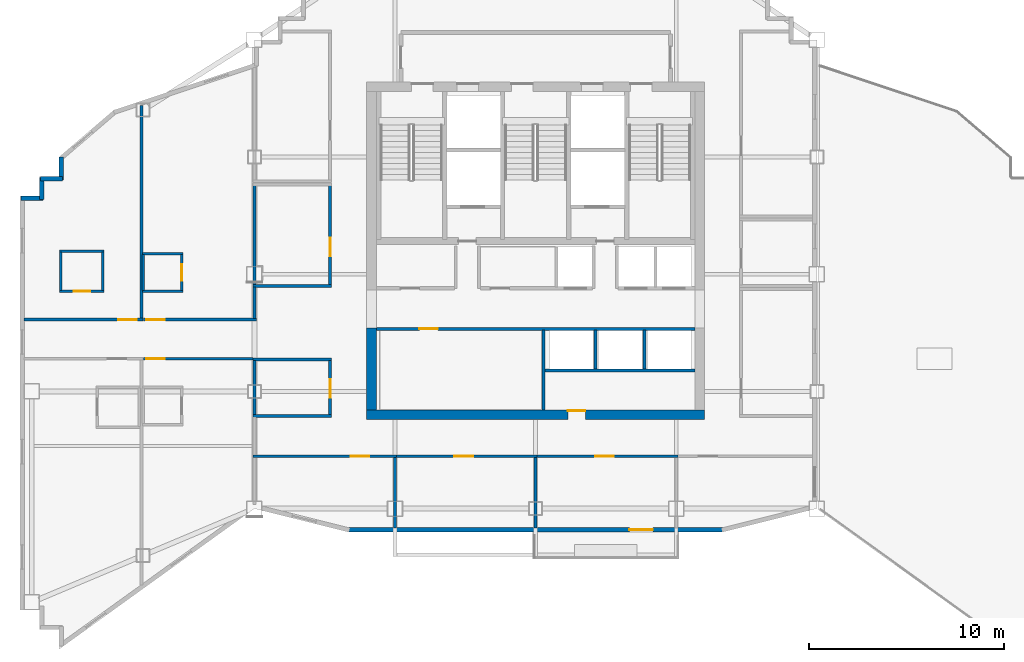
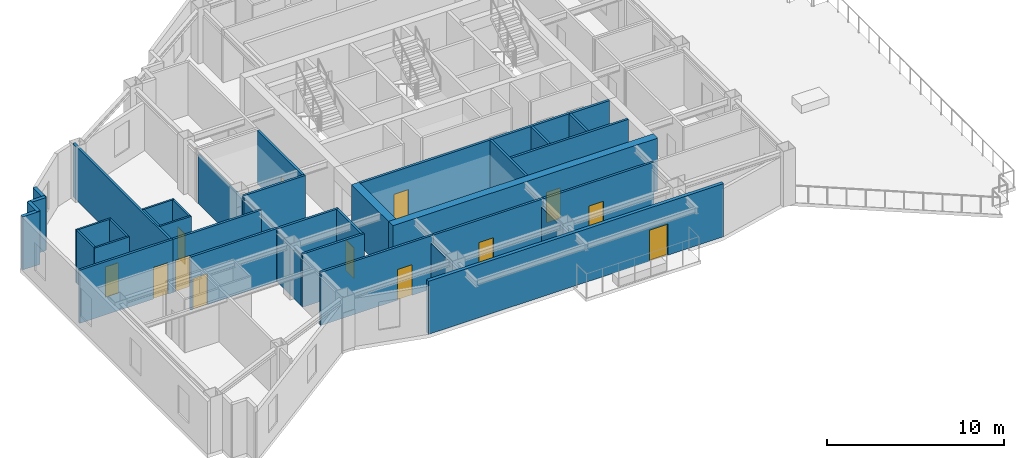
# One storey, part 5 of 10: 37 walls, 13 doors, 13 openings.
"""IFC4 building model written with IfcOpenShell, lengths in metres."""

from ifc_helpers import new_model, si_unit, direction, frame, frame_2d, origin, place, context, subcontext, project, spatial, rectangle, extrude, material, layer, layer_set, type_object, element, fill, save


model = new_model("IFC4")

# Units and contexts
model_context = context("Model", 3, precision=1e-05, world=origin(), true_north=direction((0.0, 1.0)))
body_context = subcontext(model_context, "Body", "Model", "MODEL_VIEW")
ifc_project = project(units=[si_unit("LENGTHUNIT", "METRE"), si_unit("AREAUNIT", "SQUARE_METRE"), si_unit("VOLUMEUNIT", "CUBIC_METRE"), si_unit("PLANEANGLEUNIT", "RADIAN"), si_unit("MASSUNIT", "GRAM", prefix="KILO")], contexts=[model_context])

# Site, building, storey
site_placement = place(None, origin())
site = spatial("IfcSite", under=ifc_project, at=site_placement, CompositionType="ELEMENT")
building_placement = place(site_placement, origin())
building = spatial("IfcBuilding", under=site, at=building_placement, Name="Haolan Belvedere Tower", CompositionType="ELEMENT")
storey_placement = place(building_placement, frame((0.0, 0.0, 235.199951171875)))
storey = spatial("IfcBuildingStorey", under=building, at=storey_placement, Name="L59", CompositionType="ELEMENT", Elevation=235.199951171875)

# Wall, opening, door
ifc_material_1 = material(Name="Concrete C50/60", Category="concrete")
ifc_layer_1 = layer(ifc_material_1, 0.5, Name="Concrete C50/60")
ifc_layer_set_1 = layer_set([ifc_layer_1], Name="Concrete C50/60")
wall_type_1 = type_object("IfcWallType", Name="WL-CORE-500", PredefinedType="SHEAR", material=ifc_layer_set_1)
wall_1_placement = place(storey_placement, frame((29.75, 26.39990234375, 0.0), z_axis=(0.0, 0.0, 1.0), x_axis=(1.0, 0.0, 0.0)))
wall_1 = element("IfcWall", 1, at=wall_1_placement, inside=storey, type_object=wall_type_1, Name="L59 central core south shear wall", PredefinedType="SHEAR", context=body_context, shape_type="SweptSolid", body=[
    extrude(rectangle(XDim=17.300048828125, YDim=0.5, at=frame_2d((8.64990234375, 0.0))), origin(), (0.0, 0.0, 1.0), 3.670166015625),
])
opening_1_placement = place(wall_1_placement, frame((11.199951171875, 0.0, 0.0), z_axis=(0.0, 0.0, 1.0), x_axis=(-1.0, 0.0, 0.0)))
opening_1 = element("IfcOpeningElement", 2, at=opening_1_placement, cuts=wall_1, Name="Opening FD-05", PredefinedType="OPENING", context=body_context, shape_type="SweptSolid", body=[
    extrude(rectangle(XDim=0.89990234375, YDim=2.10009765625, at=frame_2d((0.449951171875, 1.050048828125))), frame((0.0, 0.260009765625, 0.0), z_axis=(0.0, -1.0, 0.0), x_axis=(1.0, 0.0, 0.0)), (0.0, 0.0, 1.0), 0.52001953125),
])
ifc_material_2 = material(Name="Galvanised fire-rated steel", Category="steel")
door_type_1 = type_object("IfcDoorType", Name="DR-FD60-900", OperationType="NOTDEFINED", PredefinedType="DOOR", material=ifc_material_2)
door_1_placement = place(opening_1_placement, origin())
door_1 = element("IfcDoor", 3, at=door_1_placement, inside=storey, type_object=door_type_1, Name="L59 door CD-L59-SCVE", OperationType="SINGLE_SWING_RIGHT", OverallHeight=2.10009765625, OverallWidth=0.89990234375, PredefinedType="DOOR", context=body_context, shape_type="SweptSolid", body=[
    extrude(rectangle(XDim=0.89990234375, YDim=2.10009765625, at=frame_2d((0.449951171875, 1.050048828125))), frame((0.0, -0.19482421875, 0.0), z_axis=(0.0, -1.0, 0.0), x_axis=(1.0, 0.0, 0.0)), (0.0, 0.0, 1.0), 0.050048828125),
])
fill(opening_1, door_1)

# Wall
wall_2_placement = place(storey_placement, frame((30.0, 26.64990234375, 0.0), z_axis=(0.0, 0.0, 1.0), x_axis=(0.0, 1.0, 0.0)))
element("IfcWall", 4, at=wall_2_placement, inside=storey, type_object=wall_type_1, Name="L59 central core shear wall WS", PredefinedType="SHEAR", context=body_context, shape_type="SweptSolid", body=[
    extrude(rectangle(XDim=4.2001953125, YDim=0.5, at=frame_2d((2.10009765625, 0.0))), origin(), (0.0, 0.0, 1.0), 3.670166015625),
])

# Wall, opening, door
ifc_material_3 = material(Name="Precast concrete C40/50", Category="concrete")
ifc_layer_2 = layer(ifc_material_3, 0.219970703125, Name="Precast concrete C40/50")
ifc_layer_set_2 = layer_set([ifc_layer_2], Name="Precast concrete C40/50")
wall_type_2 = type_object("IfcWallType", Name="WL-EXT-220", PredefinedType="SOLIDWALL", material=ifc_layer_set_2)
wall_3_placement = place(storey_placement, frame((28.758544921875, 20.510009765625, 0.0), z_axis=(0.0, 0.0, 1.0), x_axis=(1.0, 0.0, 0.0)))
wall_3 = element("IfcWall", 5, at=wall_3_placement, inside=storey, type_object=wall_type_2, Name="L59 pale-metal exterior spandrel wall 1.1", PredefinedType="SOLIDWALL", context=body_context, shape_type="SweptSolid", body=[
    extrude(rectangle(XDim=19.282958984375, YDim=0.219970703125, at=frame_2d((9.6416015625, 0.0))), origin(), (0.0, 0.0, 1.0), 3.670166015625),
])
opening_2_placement = place(wall_3_placement, frame((15.641357421875, 0.0, 0.0), z_axis=(0.0, 0.0, 1.0), x_axis=(-1.0, 0.0, 0.0)))
opening_2 = element("IfcOpeningElement", 6, at=opening_2_placement, cuts=wall_3, Name="Opening BD-01", PredefinedType="OPENING", context=body_context, shape_type="SweptSolid", body=[
    extrude(rectangle(XDim=1.199951171875, YDim=2.14990234375, at=frame_2d((0.60009765625, 1.074951171875))), frame((0.0, 0.119873046875, 0.0), z_axis=(0.0, -1.0, 0.0), x_axis=(1.0, 0.0, 0.0)), (0.0, 0.0, 1.0), 0.239990234375),
])
ifc_material_4 = material(Name="Thermally broken pale-metal aluminium and Low-E glass", Category="aluminium")
door_type_2 = type_object("IfcDoorType", Name="DR-BAL-1200", OperationType="NOTDEFINED", PredefinedType="DOOR", material=ifc_material_4)
door_2_placement = place(opening_2_placement, origin())
door_2 = element("IfcDoor", 7, at=door_2_placement, inside=storey, type_object=door_type_2, Name="L59 tree-balcony access door 1", OperationType="SINGLE_SWING_LEFT", OverallHeight=2.14990234375, OverallWidth=1.199951171875, PredefinedType="DOOR", context=body_context, shape_type="SweptSolid", body=[
    extrude(rectangle(XDim=1.199951171875, YDim=2.14990234375, at=frame_2d((0.60009765625, 1.074951171875))), frame((0.0, 0.02490234375, 0.0), z_axis=(0.0, -1.0, 0.0), x_axis=(1.0, 0.0, 0.0)), (0.0, 0.0, 1.0), 0.050048828125),
])
fill(opening_2, door_2)

# Walls
wall_4_placement = place(storey_placement, frame((14.110107421875, 39.6044921875, 0.0), z_axis=(0.0, 0.0, 1.0), x_axis=(0.0, -1.0, 0.0)))
element("IfcWall", 8, at=wall_4_placement, inside=storey, type_object=wall_type_2, Name="L59 pale-metal exterior spandrel wall 19.1", PredefinedType="SOLIDWALL", context=body_context, shape_type="SweptSolid", body=[
    extrude(rectangle(XDim=1.16943359375, YDim=0.219970703125, at=frame_2d((0.584716796875, 0.0))), origin(), (0.0, 0.0, 1.0), 3.670166015625),
])
wall_5_placement = place(storey_placement, frame((14.1650390625, 38.489990234375, 0.0), z_axis=(0.0, 0.0, 1.0), x_axis=(-1.0, 0.0, 0.0)))
element("IfcWall", 9, at=wall_5_placement, inside=storey, type_object=wall_type_2, Name="L59 pale-metal exterior spandrel wall 20.1", PredefinedType="SOLIDWALL", context=body_context, shape_type="SweptSolid", body=[
    extrude(rectangle(XDim=1.110107421875, YDim=0.219970703125, at=frame_2d((0.55517578125, 0.0))), origin(), (0.0, 0.0, 1.0), 3.670166015625),
])
wall_6_placement = place(storey_placement, frame((13.110107421875, 38.544921875, 0.0), z_axis=(0.0, 0.0, 1.0), x_axis=(0.0, -1.0, 0.0)))
element("IfcWall", 10, at=wall_6_placement, inside=storey, type_object=wall_type_2, Name="L59 pale-metal exterior spandrel wall 21.1", PredefinedType="SOLIDWALL", context=body_context, shape_type="SweptSolid", body=[
    extrude(rectangle(XDim=1.10986328125, YDim=0.219970703125, at=frame_2d((0.554931640625, 0.0))), origin(), (0.0, 0.0, 1.0), 3.670166015625),
])
wall_7_placement = place(storey_placement, frame((13.1650390625, 37.489990234375, 0.0), z_axis=(0.0, 0.0, 1.0), x_axis=(-1.0, 0.0, 0.0)))
element("IfcWall", 11, at=wall_7_placement, inside=storey, type_object=wall_type_2, Name="L59 pale-metal exterior spandrel wall 22.1", PredefinedType="SOLIDWALL", context=body_context, shape_type="SweptSolid", body=[
    extrude(rectangle(XDim=1.110107421875, YDim=0.219970703125, at=frame_2d((0.55517578125, 0.0))), origin(), (0.0, 0.0, 1.0), 3.670166015625),
])
ifc_material_5 = material(Name="Double gypsum acoustic stud partition", Category="masonry")
ifc_layer_3 = layer(ifc_material_5, 0.14990234375, Name="Double gypsum acoustic stud partition")
ifc_layer_set_3 = layer_set([ifc_layer_3], Name="Double gypsum acoustic stud partition")
wall_type_3 = type_object("IfcWallType", Name="WL-PART-150", PredefinedType="PARTITIONING", material=ifc_layer_set_3)
wall_8_placement = place(storey_placement, frame((38.860107421875, 28.659912109375, 0.0), z_axis=(0.0, 0.0, 1.0), x_axis=(1.0, 0.0, 0.0)))
element("IfcWall", 12, at=wall_8_placement, inside=storey, type_object=wall_type_3, Name="L59 interior partition IW-L59-SSTRIP-E", PredefinedType="PARTITIONING", context=body_context, shape_type="SweptSolid", body=[
    extrude(rectangle(XDim=7.68994140625, YDim=0.14990234375, at=frame_2d((3.844970703125, 0.0))), origin(), (0.0, 0.0, 1.0), 3.670166015625),
])
wall_9_placement = place(storey_placement, frame((23.919921875, 33.0, 0.0), z_axis=(0.0, 0.0, 1.0), x_axis=(1.0, 0.0, 0.0)))
element("IfcWall", 13, at=wall_9_placement, inside=storey, type_object=wall_type_3, Name="L59 interior partition IW-L59-HSK-S", PredefinedType="PARTITIONING", context=body_context, shape_type="SweptSolid", body=[
    extrude(rectangle(XDim=4.0400390625, YDim=0.14990234375, at=frame_2d((2.02001953125, 0.0))), origin(), (0.0, 0.0, 1.0), 3.670166015625),
])
wall_10_placement = place(storey_placement, frame((24.0, 33.06005859375, 0.0), z_axis=(0.0, 0.0, 1.0), x_axis=(0.0, 1.0, 0.0)))
element("IfcWall", 14, at=wall_10_placement, inside=storey, type_object=wall_type_3, Name="L59 interior partition IW-L59-HSK-W", PredefinedType="PARTITIONING", context=body_context, shape_type="SweptSolid", body=[
    extrude(rectangle(XDim=5.079833984375, YDim=0.14990234375, at=frame_2d((2.5400390625, 0.0))), origin(), (0.0, 0.0, 1.0), 3.31494140625),
])

# Wall, opening, door
wall_11_placement = place(storey_placement, frame((27.8798828125, 33.06005859375, 0.0), z_axis=(0.0, 0.0, 1.0), x_axis=(0.0, 1.0, 0.0)))
wall_11 = element("IfcWall", 15, at=wall_11_placement, inside=storey, type_object=wall_type_3, Name="L59 interior partition IW-L59-HSK-E", PredefinedType="PARTITIONING", context=body_context, shape_type="SweptSolid", body=[
    extrude(rectangle(XDim=5.079833984375, YDim=0.14990234375, at=frame_2d((2.5400390625, 0.0))), origin(), (0.0, 0.0, 1.0), 3.670166015625),
])
opening_3_placement = place(wall_11_placement, frame((2.409912109375, 0.0, 0.0), z_axis=(0.0, 0.0, 1.0), x_axis=(-1.0, 0.0, 0.0)))
opening_3 = element("IfcOpeningElement", 16, at=opening_3_placement, cuts=wall_11, Name="Opening ID-03", PredefinedType="OPENING", context=body_context, shape_type="SweptSolid", body=[
    extrude(rectangle(XDim=0.949951171875, YDim=2.1201171875, at=frame_2d((0.47509765625, 1.06005859375))), frame((0.0, 0.0849609375, 0.0), z_axis=(0.0, -1.0, 0.0), x_axis=(1.0, 0.0, 0.0)), (0.0, 0.0, 1.0), 0.169921875),
])
ifc_material_6 = material(Name="Painted solid-core timber", Category="wood")
door_type_3 = type_object("IfcDoorType", Name="DR-INT-950", OperationType="NOTDEFINED", PredefinedType="DOOR", material=ifc_material_6)
door_3_placement = place(opening_3_placement, origin())
door_3 = element("IfcDoor", 17, at=door_3_placement, inside=storey, type_object=door_type_3, Name="L59 door ID-L59-HSK", OperationType="SINGLE_SWING_LEFT", OverallHeight=2.1201171875, OverallWidth=0.949951171875, PredefinedType="DOOR", context=body_context, shape_type="SweptSolid", body=[
    extrude(rectangle(XDim=0.949951171875, YDim=2.1201171875, at=frame_2d((0.47509765625, 1.06005859375))), frame((0.0, 0.02490234375, 0.0), z_axis=(0.0, -1.0, 0.0), x_axis=(1.0, 0.0, 0.0)), (0.0, 0.0, 1.0), 0.050048828125),
])
fill(opening_3, door_3)

# Walls
for number, where, z_axis, x_axis, name in (
    (18, (23.919921875, 29.22998046875, 0.0), (0.0, 0.0, 1.0), (1.0, 0.0, 0.0), "L59 interior partition IW-L59-PKTW-N"),
    (19, (23.919921875, 26.35009765625, 0.0), (0.0, 0.0, 1.0), (1.0, 0.0, 0.0), "L59 interior partition IW-L59-PKTW-S"),
):
    element("IfcWall", number, at=place(storey_placement, frame(where, z_axis=z_axis, x_axis=x_axis)), inside=storey, type_object=wall_type_3, Name=name, PredefinedType="PARTITIONING", context=body_context, shape_type="SweptSolid", body=[
        extrude(rectangle(XDim=4.0400390625, YDim=0.14990234375, at=frame_2d((2.02001953125, 0.0))), origin(), (0.0, 0.0, 1.0), 3.670166015625),
    ])
wall_12_placement = place(storey_placement, frame((24.0, 26.409912109375, 0.0), z_axis=(0.0, 0.0, 1.0), x_axis=(0.0, 1.0, 0.0)))
element("IfcWall", 20, at=wall_12_placement, inside=storey, type_object=wall_type_3, Name="L59 interior partition IW-L59-PKTW-W", PredefinedType="PARTITIONING", context=body_context, shape_type="SweptSolid", body=[
    extrude(rectangle(XDim=2.760009765625, YDim=0.14990234375, at=frame_2d((1.3798828125, 0.0))), origin(), (0.0, 0.0, 1.0), 3.31494140625),
])

# Wall, opening, door
wall_13_placement = place(storey_placement, frame((27.8798828125, 26.409912109375, 0.0), z_axis=(0.0, 0.0, 1.0), x_axis=(0.0, 1.0, 0.0)))
wall_13 = element("IfcWall", 21, at=wall_13_placement, inside=storey, type_object=wall_type_3, Name="L59 interior partition IW-L59-PKTW-E", PredefinedType="PARTITIONING", context=body_context, shape_type="SweptSolid", body=[
    extrude(rectangle(XDim=2.760009765625, YDim=0.14990234375, at=frame_2d((1.3798828125, 0.0))), origin(), (0.0, 0.0, 1.0), 3.670166015625),
])
opening_4_placement = place(wall_13_placement, frame((1.81005859375, 0.0, 0.0), z_axis=(0.0, 0.0, 1.0), x_axis=(-1.0, 0.0, 0.0)))
opening_4 = element("IfcOpeningElement", 22, at=opening_4_placement, cuts=wall_13, Name="Opening ID-03", PredefinedType="OPENING", context=body_context, shape_type="SweptSolid", body=[
    extrude(rectangle(XDim=0.949951171875, YDim=2.1201171875, at=frame_2d((0.47509765625, 1.06005859375))), frame((0.0, 0.0849609375, 0.0), z_axis=(0.0, -1.0, 0.0), x_axis=(1.0, 0.0, 0.0)), (0.0, 0.0, 1.0), 0.169921875),
])
door_4_placement = place(opening_4_placement, origin())
door_4 = element("IfcDoor", 23, at=door_4_placement, inside=storey, type_object=door_type_3, Name="L59 door ID-L59-PKTW", OperationType="SINGLE_SWING_LEFT", OverallHeight=2.1201171875, OverallWidth=0.949951171875, PredefinedType="DOOR", context=body_context, shape_type="SweptSolid", body=[
    extrude(rectangle(XDim=0.949951171875, YDim=2.1201171875, at=frame_2d((0.47509765625, 1.06005859375))), frame((0.0, 0.02490234375, 0.0), z_axis=(0.0, -1.0, 0.0), x_axis=(1.0, 0.0, 0.0)), (0.0, 0.0, 1.0), 0.050048828125),
])
fill(opening_4, door_4)

wall_14_placement = place(storey_placement, frame((23.919921875, 24.280029296875, 0.0), z_axis=(0.0, 0.0, 1.0), x_axis=(1.0, 0.0, 0.0)))
wall_14 = element("IfcWall", 24, at=wall_14_placement, inside=storey, type_object=wall_type_3, Name="L59 interior partition IW-L59-KS1-N", PredefinedType="PARTITIONING", context=body_context, shape_type="SweptSolid", body=[
    extrude(rectangle(XDim=7.360107421875, YDim=0.14990234375, at=frame_2d((3.68017578125, 0.0))), origin(), (0.0, 0.0, 1.0), 3.670166015625),
])
opening_5_placement = place(wall_14_placement, frame((5.969970703125, 0.0, 0.0), z_axis=(0.0, 0.0, 1.0), x_axis=(-1.0, 0.0, 0.0)))
opening_5 = element("IfcOpeningElement", 25, at=opening_5_placement, cuts=wall_14, Name="Opening ID-03", PredefinedType="OPENING", context=body_context, shape_type="SweptSolid", body=[
    extrude(rectangle(XDim=0.949951171875, YDim=2.1201171875, at=frame_2d((0.47509765625, 1.06005859375))), frame((0.0, 0.0849609375, 0.0), z_axis=(0.0, -1.0, 0.0), x_axis=(1.0, 0.0, 0.0)), (0.0, 0.0, 1.0), 0.169921875),
])
door_5_placement = place(opening_5_placement, origin())
door_5 = element("IfcDoor", 26, at=door_5_placement, inside=storey, type_object=door_type_3, Name="L59 door ID-L59-KS1", OperationType="SINGLE_SWING_LEFT", OverallHeight=2.1201171875, OverallWidth=0.949951171875, PredefinedType="DOOR", context=body_context, shape_type="SweptSolid", body=[
    extrude(rectangle(XDim=0.949951171875, YDim=2.1201171875, at=frame_2d((0.47509765625, 1.06005859375))), frame((0.0, 0.02490234375, 0.0), z_axis=(0.0, -1.0, 0.0), x_axis=(1.0, 0.0, 0.0)), (0.0, 0.0, 1.0), 0.050048828125),
])
fill(opening_5, door_5)

# Wall
wall_15_placement = place(storey_placement, frame((31.199951171875, 20.612060546875, 0.0), z_axis=(0.0, 0.0, 1.0), x_axis=(0.0, 1.0, 0.0)))
element("IfcWall", 27, at=wall_15_placement, inside=storey, type_object=wall_type_3, Name="L59 interior partition IW-L59-KS1-E", PredefinedType="PARTITIONING", context=body_context, shape_type="SweptSolid", body=[
    extrude(rectangle(XDim=3.60791015625, YDim=0.14990234375, at=frame_2d((1.803955078125, 0.0))), origin(), (0.0, 0.0, 1.0), 3.155029296875),
])

# Wall, opening, door
wall_16_placement = place(storey_placement, frame((31.281982421875, 24.280029296875, 0.0), z_axis=(0.0, 0.0, 1.0), x_axis=(1.0, 0.0, 0.0)))
wall_16 = element("IfcWall", 28, at=wall_16_placement, inside=storey, type_object=wall_type_3, Name="L59 interior partition IW-L59-KS2-N", PredefinedType="PARTITIONING", context=body_context, shape_type="SweptSolid", body=[
    extrude(rectangle(XDim=7.197998046875, YDim=0.14990234375, at=frame_2d((3.59912109375, 0.0))), origin(), (0.0, 0.0, 1.0), 3.670166015625),
])
opening_6_placement = place(wall_16_placement, frame((3.912841796875, 0.0, 0.0), z_axis=(0.0, 0.0, 1.0), x_axis=(-1.0, 0.0, 0.0)))
opening_6 = element("IfcOpeningElement", 29, at=opening_6_placement, cuts=wall_16, Name="Opening ID-03", PredefinedType="OPENING", context=body_context, shape_type="SweptSolid", body=[
    extrude(rectangle(XDim=0.949951171875, YDim=2.1201171875, at=frame_2d((0.47509765625, 1.06005859375))), frame((0.0, 0.0849609375, 0.0), z_axis=(0.0, -1.0, 0.0), x_axis=(1.0, 0.0, 0.0)), (0.0, 0.0, 1.0), 0.169921875),
])
door_6_placement = place(opening_6_placement, origin())
door_6 = element("IfcDoor", 30, at=door_6_placement, inside=storey, type_object=door_type_3, Name="L59 door ID-L59-KS2", OperationType="SINGLE_SWING_RIGHT", OverallHeight=2.1201171875, OverallWidth=0.949951171875, PredefinedType="DOOR", context=body_context, shape_type="SweptSolid", body=[
    extrude(rectangle(XDim=0.949951171875, YDim=2.1201171875, at=frame_2d((0.47509765625, 1.06005859375))), frame((0.0, 0.02490234375, 0.0), z_axis=(0.0, -1.0, 0.0), x_axis=(1.0, 0.0, 0.0)), (0.0, 0.0, 1.0), 0.050048828125),
])
fill(opening_6, door_6)

# Wall
wall_17_placement = place(storey_placement, frame((38.39990234375, 20.612060546875, 0.0), z_axis=(0.0, 0.0, 1.0), x_axis=(0.0, 1.0, 0.0)))
element("IfcWall", 31, at=wall_17_placement, inside=storey, type_object=wall_type_3, Name="L59 interior partition IW-L59-KS2-E", PredefinedType="PARTITIONING", context=body_context, shape_type="SweptSolid", body=[
    extrude(rectangle(XDim=3.60791015625, YDim=0.14990234375, at=frame_2d((1.803955078125, 0.0))), origin(), (0.0, 0.0, 1.0), 3.155029296875),
])

# Wall, opening, door
wall_18_placement = place(storey_placement, frame((38.48193359375, 24.280029296875, 0.0), z_axis=(0.0, 0.0, 1.0), x_axis=(1.0, 0.0, 0.0)))
wall_18 = element("IfcWall", 32, at=wall_18_placement, inside=storey, type_object=wall_type_3, Name="L59 interior partition IW-L59-KS3-N", PredefinedType="PARTITIONING", context=body_context, shape_type="SweptSolid", body=[
    extrude(rectangle(XDim=7.197998046875, YDim=0.14990234375, at=frame_2d((3.59912109375, 0.0))), origin(), (0.0, 0.0, 1.0), 3.670166015625),
])
opening_7_placement = place(wall_18_placement, frame((3.912841796875, 0.0, 0.0), z_axis=(0.0, 0.0, 1.0), x_axis=(-1.0, 0.0, 0.0)))
opening_7 = element("IfcOpeningElement", 33, at=opening_7_placement, cuts=wall_18, Name="Opening ID-03", PredefinedType="OPENING", context=body_context, shape_type="SweptSolid", body=[
    extrude(rectangle(XDim=0.949951171875, YDim=2.1201171875, at=frame_2d((0.47509765625, 1.06005859375))), frame((0.0, 0.0849609375, 0.0), z_axis=(0.0, -1.0, 0.0), x_axis=(1.0, 0.0, 0.0)), (0.0, 0.0, 1.0), 0.169921875),
])
door_7_placement = place(opening_7_placement, origin())
door_7 = element("IfcDoor", 34, at=door_7_placement, inside=storey, type_object=door_type_3, Name="L59 door ID-L59-KS3", OperationType="SINGLE_SWING_LEFT", OverallHeight=2.1201171875, OverallWidth=0.949951171875, PredefinedType="DOOR", context=body_context, shape_type="SweptSolid", body=[
    extrude(rectangle(XDim=0.949951171875, YDim=2.1201171875, at=frame_2d((0.47509765625, 1.06005859375))), frame((0.0, 0.02490234375, 0.0), z_axis=(0.0, -1.0, 0.0), x_axis=(1.0, 0.0, 0.0)), (0.0, 0.0, 1.0), 0.050048828125),
])
fill(opening_7, door_7)

wall_19_placement = place(storey_placement, frame((12.2119140625, 31.280029296875, 0.0), z_axis=(0.0, 0.0, 1.0), x_axis=(1.0, 0.0, 0.0)))
wall_19 = element("IfcWall", 35, at=wall_19_placement, inside=storey, type_object=wall_type_3, Name="L59 interior partition IW-L59-T2N1-S", PredefinedType="PARTITIONING", context=body_context, shape_type="SweptSolid", body=[
    extrude(rectangle(XDim=6.09814453125, YDim=0.14990234375, at=frame_2d((3.049072265625, 0.0))), origin(), (0.0, 0.0, 1.0), 3.670166015625),
])
opening_8_placement = place(wall_19_placement, frame((4.815673828125, 0.0, 0.0)))
opening_8 = element("IfcOpeningElement", 36, at=opening_8_placement, cuts=wall_19, Name="Opening ID-01", PredefinedType="OPENING", context=body_context, shape_type="SweptSolid", body=[
    extrude(rectangle(XDim=0.949951171875, YDim=2.179931640625, at=frame_2d((0.47509765625, 1.08984375))), frame((0.0, 0.0849609375, 0.0), z_axis=(0.0, -1.0, 0.0), x_axis=(1.0, 0.0, 0.0)), (0.0, 0.0, 1.0), 0.169921875),
])
ifc_material_7 = material(Name="Acoustic walnut veneer fire-rated timber", Category="wood")
door_type_4 = type_object("IfcDoorType", Name="DR-SUITE-950", OperationType="NOTDEFINED", PredefinedType="DOOR", material=ifc_material_7)
door_8_placement = place(opening_8_placement, origin())
door_8 = element("IfcDoor", 37, at=door_8_placement, inside=storey, type_object=door_type_4, Name="L59 door ID-L59-T2N1-ENT", OperationType="SINGLE_SWING_LEFT", OverallHeight=2.179931640625, OverallWidth=0.949951171875, PredefinedType="DOOR", context=body_context, shape_type="SweptSolid", body=[
    extrude(rectangle(XDim=0.949951171875, YDim=2.179931640625, at=frame_2d((0.47509765625, 1.08984375))), frame((0.0, 0.02490234375, 0.0), z_axis=(0.0, -1.0, 0.0), x_axis=(1.0, 0.0, 0.0)), (0.0, 0.0, 1.0), 0.050048828125),
])
fill(opening_8, door_8)

# Wall
wall_20_placement = place(storey_placement, frame((18.2099609375, 31.340087890625, 0.0), z_axis=(0.0, 0.0, 1.0), x_axis=(0.0, 1.0, 0.0)))
element("IfcWall", 38, at=wall_20_placement, inside=storey, type_object=wall_type_3, Name="L59 interior partition IW-L59-T2N1-E", PredefinedType="PARTITIONING", context=body_context, shape_type="SweptSolid", body=[
    extrude(rectangle(XDim=10.906494140625, YDim=0.14990234375, at=frame_2d((5.453125, 0.0))), origin(), (0.0, 0.0, 1.0), 3.670166015625),
])

# Wall, opening, door
wall_21_placement = place(storey_placement, frame((18.31201171875, 31.280029296875, 0.0), z_axis=(0.0, 0.0, 1.0), x_axis=(1.0, 0.0, 0.0)))
wall_21 = element("IfcWall", 39, at=wall_21_placement, inside=storey, type_object=wall_type_3, Name="L59 interior partition IW-L59-T2N2-S", PredefinedType="PARTITIONING", context=body_context, shape_type="SweptSolid", body=[
    extrude(rectangle(XDim=5.7880859375, YDim=0.14990234375, at=frame_2d((2.89404296875, 0.0))), origin(), (0.0, 0.0, 1.0), 3.670166015625),
])
opening_9_placement = place(wall_21_placement, frame((0.139892578125, 0.0, 0.0)))
opening_9 = element("IfcOpeningElement", 40, at=opening_9_placement, cuts=wall_21, Name="Opening ID-01", PredefinedType="OPENING", context=body_context, shape_type="SweptSolid", body=[
    extrude(rectangle(XDim=0.949951171875, YDim=2.179931640625, at=frame_2d((0.47509765625, 1.08984375))), frame((0.0, 0.0849609375, 0.0), z_axis=(0.0, -1.0, 0.0), x_axis=(1.0, 0.0, 0.0)), (0.0, 0.0, 1.0), 0.169921875),
])
door_9_placement = place(opening_9_placement, origin())
door_9 = element("IfcDoor", 41, at=door_9_placement, inside=storey, type_object=door_type_4, Name="L59 door ID-L59-T2N2-ENT", OperationType="SINGLE_SWING_RIGHT", OverallHeight=2.179931640625, OverallWidth=0.949951171875, PredefinedType="DOOR", context=body_context, shape_type="SweptSolid", body=[
    extrude(rectangle(XDim=0.949951171875, YDim=2.179931640625, at=frame_2d((0.47509765625, 1.08984375))), frame((0.0, 0.02490234375, 0.0), z_axis=(0.0, -1.0, 0.0), x_axis=(1.0, 0.0, 0.0)), (0.0, 0.0, 1.0), 0.050048828125),
])
fill(opening_9, door_9)

# Wall
wall_22_placement = place(storey_placement, frame((24.0, 31.340087890625, 0.0), z_axis=(0.0, 0.0, 1.0), x_axis=(0.0, 1.0, 0.0)))
element("IfcWall", 42, at=wall_22_placement, inside=storey, type_object=wall_type_3, Name="L59 interior partition IW-L59-T2N2-E", PredefinedType="PARTITIONING", context=body_context, shape_type="SweptSolid", body=[
    extrude(rectangle(XDim=1.599853515625, YDim=0.14990234375, at=frame_2d((0.7998046875, 0.0))), origin(), (0.0, 0.0, 1.0), 3.31494140625),
])

# Wall, opening, door
wall_23_placement = place(storey_placement, frame((18.31201171875, 29.27001953125, 0.0), z_axis=(0.0, 0.0, 1.0), x_axis=(1.0, 0.0, 0.0)))
wall_23 = element("IfcWall", 43, at=wall_23_placement, inside=storey, type_object=wall_type_3, Name="L59 interior partition IW-L59-T2S2-N", PredefinedType="PARTITIONING", context=body_context, shape_type="SweptSolid", body=[
    extrude(rectangle(XDim=5.60595703125, YDim=0.14990234375, at=frame_2d((2.802978515625, 0.0))), origin(), (0.0, 0.0, 1.0), 3.670166015625),
])
opening_10_placement = place(wall_23_placement, frame((1.08984375, 0.0, 0.0), z_axis=(0.0, 0.0, 1.0), x_axis=(-1.0, 0.0, 0.0)))
opening_10 = element("IfcOpeningElement", 44, at=opening_10_placement, cuts=wall_23, Name="Opening ID-02", PredefinedType="OPENING", context=body_context, shape_type="SweptSolid", body=[
    extrude(rectangle(XDim=0.949951171875, YDim=2.14990234375, at=frame_2d((0.47509765625, 1.074951171875))), frame((0.0, 0.0849609375, 0.0), z_axis=(0.0, -1.0, 0.0), x_axis=(1.0, 0.0, 0.0)), (0.0, 0.0, 1.0), 0.169921875),
])
ifc_material_8 = material(Name="Acoustic oak veneer fire-rated timber", Category="wood")
door_type_5 = type_object("IfcDoorType", Name="DR-GUEST-950", OperationType="NOTDEFINED", PredefinedType="DOOR", material=ifc_material_8)
door_10_placement = place(opening_10_placement, origin())
door_10 = element("IfcDoor", 45, at=door_10_placement, inside=storey, type_object=door_type_5, Name="L59 door ID-L59-T2S2-ENT", OperationType="SINGLE_SWING_RIGHT", OverallHeight=2.14990234375, OverallWidth=0.949951171875, PredefinedType="DOOR", context=body_context, shape_type="SweptSolid", body=[
    extrude(rectangle(XDim=0.949951171875, YDim=2.14990234375, at=frame_2d((0.47509765625, 1.074951171875))), frame((0.0, 0.02490234375, 0.0), z_axis=(0.0, -1.0, 0.0), x_axis=(1.0, 0.0, 0.0)), (0.0, 0.0, 1.0), 0.050048828125),
])
fill(opening_10, door_10)

ifc_material_9 = material(Name="Gypsum fire shaftwall assembly", Category="masonry")
ifc_layer_4 = layer(ifc_material_9, 0.1650390625, Name="Gypsum fire shaftwall assembly")
ifc_layer_set_4 = layer_set([ifc_layer_4], Name="Gypsum fire shaftwall assembly")
wall_type_4 = type_object("IfcWallType", Name="WL-SHAFT-160", PredefinedType="SOLIDWALL", material=ifc_layer_set_4)
wall_24_placement = place(storey_placement, frame((30.25, 30.800048828125, 0.0), z_axis=(0.0, 0.0, 1.0), x_axis=(1.0, 0.0, 0.0)))
wall_24 = element("IfcWall", 46, at=wall_24_placement, inside=storey, type_object=wall_type_4, Name="L59 interior partition IW-L59-ROW-PS", PredefinedType="SOLIDWALL", context=body_context, shape_type="SweptSolid", body=[
    extrude(rectangle(XDim=16.300048828125, YDim=0.159912109375, at=frame_2d((8.14990234375, 0.0))), origin(), (0.0, 0.0, 1.0), 3.670166015625),
])
opening_11_placement = place(wall_24_placement, frame((2.199951171875, 0.0, 0.0)))
opening_11 = element("IfcOpeningElement", 47, at=opening_11_placement, cuts=wall_24, Name="Opening ID-03", PredefinedType="OPENING", context=body_context, shape_type="SweptSolid", body=[
    extrude(rectangle(XDim=0.949951171875, YDim=2.1201171875, at=frame_2d((0.47509765625, 1.06005859375))), frame((0.0, 0.08984375, 0.0), z_axis=(0.0, -1.0, 0.0), x_axis=(1.0, 0.0, 0.0)), (0.0, 0.0, 1.0), 0.179931640625),
])
door_11_placement = place(opening_11_placement, origin())
door_11 = element("IfcDoor", 48, at=door_11_placement, inside=storey, type_object=door_type_3, Name="L59 door ID-L59-CD-RPMA", OperationType="SINGLE_SWING_LEFT", OverallHeight=2.1201171875, OverallWidth=0.949951171875, PredefinedType="DOOR", context=body_context, shape_type="SweptSolid", body=[
    extrude(rectangle(XDim=0.949951171875, YDim=2.1201171875, at=frame_2d((0.47509765625, 1.06005859375))), frame((0.0, 0.02490234375, 0.0), z_axis=(0.0, -1.0, 0.0), x_axis=(1.0, 0.0, 0.0)), (0.0, 0.0, 1.0), 0.050048828125),
])
fill(opening_11, door_11)

# Walls
wall_25_placement = place(storey_placement, frame((38.800048828125, 26.659912109375, 0.0), z_axis=(0.0, 0.0, 1.0), x_axis=(0.0, 1.0, 0.0)))
element("IfcWall", 49, at=wall_25_placement, inside=storey, type_object=wall_type_4, Name="L59 interior partition IW-L59-DIV-PM-OB", PredefinedType="SOLIDWALL", context=body_context, shape_type="SweptSolid", body=[
    extrude(rectangle(XDim=4.0751953125, YDim=0.14990234375, at=frame_2d((2.03759765625, 0.0))), origin(), (0.0, 0.0, 1.0), 3.670166015625),
])
for number, where, z_axis, x_axis, name in (
    (50, (41.469970703125, 28.75, 0.0), (0.0, 0.0, 1.0), (0.0, 1.0, 0.0), "L59 interior partition IW-L59-DIV-OB1"),
    (51, (43.97998046875, 28.75, 0.0), (0.0, 0.0, 1.0), (0.0, 1.0, 0.0), "L59 interior partition IW-L59-DIV-OB2"),
):
    element("IfcWall", number, at=place(storey_placement, frame(where, z_axis=z_axis, x_axis=x_axis)), inside=storey, type_object=wall_type_4, Name=name, PredefinedType="SOLIDWALL", context=body_context, shape_type="SweptSolid", body=[
        extrude(rectangle(XDim=1.985107421875, YDim=0.14990234375, at=frame_2d((0.99267578125, 0.0))), origin(), (0.0, 0.0, 1.0), 3.670166015625),
    ])
ifc_material_10 = material(Name="Moisture-resistant gypsum tile partition", Category="masonry")
ifc_layer_5 = layer(ifc_material_10, 0.1201171875, Name="Moisture-resistant gypsum tile partition")
ifc_layer_set_5 = layer_set([ifc_layer_5], Name="Moisture-resistant gypsum tile partition")
wall_type_5 = type_object("IfcWallType", Name="WL-WET-120", PredefinedType="PARTITIONING", material=ifc_layer_set_5)
wall_26_placement = place(storey_placement, frame((14.034912109375, 34.780029296875, 0.0), z_axis=(0.0, 0.0, 1.0), x_axis=(1.0, 0.0, 0.0)))
element("IfcWall", 52, at=wall_26_placement, inside=storey, type_object=wall_type_5, Name="L59 interior partition IW-L59-T2N1-BN", PredefinedType="PARTITIONING", context=body_context, shape_type="SweptSolid", body=[
    extrude(rectangle(XDim=2.27001953125, YDim=0.1201171875, at=frame_2d((1.135009765625, 0.0))), origin(), (0.0, 0.0, 1.0), 3.670166015625),
])

# Wall, opening, door
wall_27_placement = place(storey_placement, frame((14.034912109375, 32.72998046875, 0.0), z_axis=(0.0, 0.0, 1.0), x_axis=(1.0, 0.0, 0.0)))
wall_27 = element("IfcWall", 53, at=wall_27_placement, inside=storey, type_object=wall_type_5, Name="L59 interior partition IW-L59-T2N1-BS", PredefinedType="PARTITIONING", context=body_context, shape_type="SweptSolid", body=[
    extrude(rectangle(XDim=2.27001953125, YDim=0.1201171875, at=frame_2d((1.135009765625, 0.0))), origin(), (0.0, 0.0, 1.0), 3.670166015625),
])
opening_12_placement = place(wall_27_placement, frame((0.7099609375, 0.0, 0.0)))
opening_12 = element("IfcOpeningElement", 54, at=opening_12_placement, cuts=wall_27, Name="Opening ID-05", PredefinedType="OPENING", context=body_context, shape_type="SweptSolid", body=[
    extrude(rectangle(XDim=0.85009765625, YDim=2.10009765625, at=frame_2d((0.425048828125, 1.050048828125))), frame((0.0, 0.070068359375, 0.0), z_axis=(0.0, -1.0, 0.0), x_axis=(1.0, 0.0, 0.0)), (0.0, 0.0, 1.0), 0.14013671875),
])
ifc_material_11 = material(Name="Moisture-resistant lacquered timber", Category="wood")
door_type_6 = type_object("IfcDoorType", Name="DR-BATH-850", OperationType="NOTDEFINED", PredefinedType="DOOR", material=ifc_material_11)
door_12_placement = place(opening_12_placement, origin())
door_12 = element("IfcDoor", 55, at=door_12_placement, inside=storey, type_object=door_type_6, Name="L59 door ID-L59-T2N1-BATH", OperationType="SINGLE_SWING_RIGHT", OverallHeight=2.10009765625, OverallWidth=0.85009765625, PredefinedType="DOOR", context=body_context, shape_type="SweptSolid", body=[
    extrude(rectangle(XDim=0.85009765625, YDim=2.10009765625, at=frame_2d((0.425048828125, 1.050048828125))), frame((0.0, 0.02490234375, 0.0), z_axis=(0.0, -1.0, 0.0), x_axis=(1.0, 0.0, 0.0)), (0.0, 0.0, 1.0), 0.050048828125),
])
fill(opening_12, door_12)

# Walls
for number, where, z_axis, x_axis, name in (
    (56, (14.094970703125, 32.77490234375, 0.0), (0.0, 0.0, 1.0), (0.0, 1.0, 0.0), "L59 interior partition IW-L59-T2N1-BW"),
    (57, (16.2451171875, 32.77490234375, 0.0), (0.0, 0.0, 1.0), (0.0, 1.0, 0.0), "L59 interior partition IW-L59-T2N1-BE"),
):
    element("IfcWall", number, at=place(storey_placement, frame(where, z_axis=z_axis, x_axis=x_axis)), inside=storey, type_object=wall_type_5, Name=name, PredefinedType="PARTITIONING", context=body_context, shape_type="SweptSolid", body=[
        extrude(rectangle(XDim=1.960205078125, YDim=0.1201171875, at=frame_2d((0.97998046875, 0.0))), origin(), (0.0, 0.0, 1.0), 3.670166015625),
    ])
for number, where, z_axis, x_axis, name in (
    (58, (18.27001953125, 34.64990234375, 0.0), (0.0, 0.0, 1.0), (1.0, 0.0, 0.0), "L59 interior partition IW-L59-T2N2-BN"),
    (59, (18.27001953125, 32.72998046875, 0.0), (0.0, 0.0, 1.0), (1.0, 0.0, 0.0), "L59 interior partition IW-L59-T2N2-BS"),
):
    element("IfcWall", number, at=place(storey_placement, frame(where, z_axis=z_axis, x_axis=x_axis)), inside=storey, type_object=wall_type_5, Name=name, PredefinedType="PARTITIONING", context=body_context, shape_type="SweptSolid", body=[
        extrude(rectangle(XDim=2.080078125, YDim=0.1201171875, at=frame_2d((1.0400390625, 0.0))), origin(), (0.0, 0.0, 1.0), 3.670166015625),
    ])
wall_28_placement = place(storey_placement, frame((18.31005859375, 32.77490234375, 0.0), z_axis=(0.0, 0.0, 1.0), x_axis=(0.0, 1.0, 0.0)))
element("IfcWall", 60, at=wall_28_placement, inside=storey, type_object=wall_type_5, Name="L59 interior partition IW-L59-T2N2-BW", PredefinedType="PARTITIONING", context=body_context, shape_type="SweptSolid", body=[
    extrude(rectangle(XDim=1.830078125, YDim=0.1201171875, at=frame_2d((0.9150390625, 0.0))), origin(), (0.0, 0.0, 1.0), 3.670166015625),
])

# Wall, opening, door
wall_29_placement = place(storey_placement, frame((20.2900390625, 32.77490234375, 0.0), z_axis=(0.0, 0.0, 1.0), x_axis=(0.0, 1.0, 0.0)))
wall_29 = element("IfcWall", 61, at=wall_29_placement, inside=storey, type_object=wall_type_5, Name="L59 interior partition IW-L59-T2N2-BE", PredefinedType="PARTITIONING", context=body_context, shape_type="SweptSolid", body=[
    extrude(rectangle(XDim=1.830078125, YDim=0.1201171875, at=frame_2d((0.9150390625, 0.0))), origin(), (0.0, 0.0, 1.0), 3.670166015625),
])
opening_13_placement = place(wall_29_placement, frame((0.489990234375, 0.0, 0.0)))
opening_13 = element("IfcOpeningElement", 62, at=opening_13_placement, cuts=wall_29, Name="Opening ID-05", PredefinedType="OPENING", context=body_context, shape_type="SweptSolid", body=[
    extrude(rectangle(XDim=0.85009765625, YDim=2.10009765625, at=frame_2d((0.425048828125, 1.050048828125))), frame((0.0, 0.070068359375, 0.0), z_axis=(0.0, -1.0, 0.0), x_axis=(1.0, 0.0, 0.0)), (0.0, 0.0, 1.0), 0.14013671875),
])
door_13_placement = place(opening_13_placement, origin())
door_13 = element("IfcDoor", 63, at=door_13_placement, inside=storey, type_object=door_type_6, Name="L59 door ID-L59-T2N2-BATH", OperationType="SINGLE_SWING_LEFT", OverallHeight=2.10009765625, OverallWidth=0.85009765625, PredefinedType="DOOR", context=body_context, shape_type="SweptSolid", body=[
    extrude(rectangle(XDim=0.85009765625, YDim=2.10009765625, at=frame_2d((0.425048828125, 1.050048828125))), frame((0.0, 0.02490234375, 0.0), z_axis=(0.0, -1.0, 0.0), x_axis=(1.0, 0.0, 0.0)), (0.0, 0.0, 1.0), 0.050048828125),
])
fill(opening_13, door_13)

save(model, "model.ifc")
